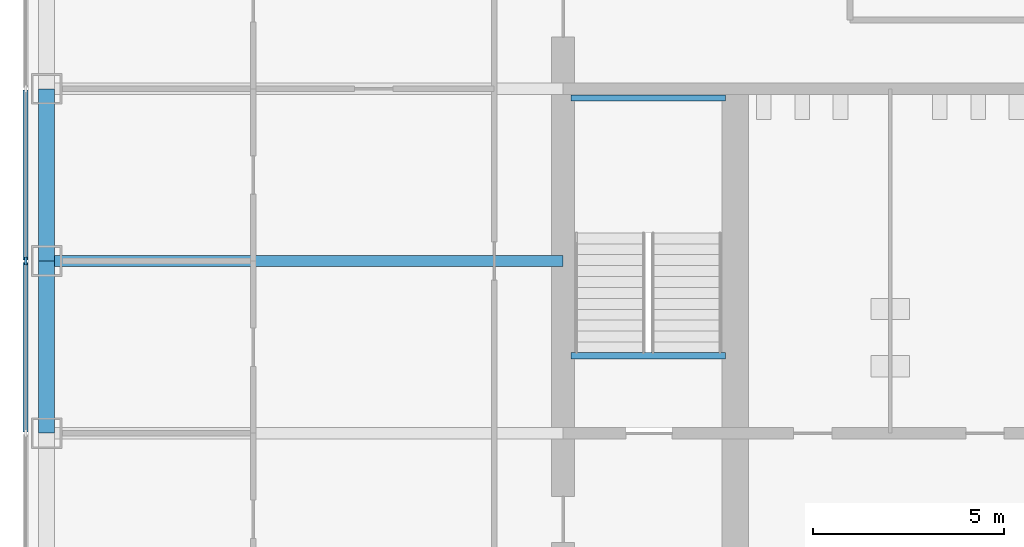
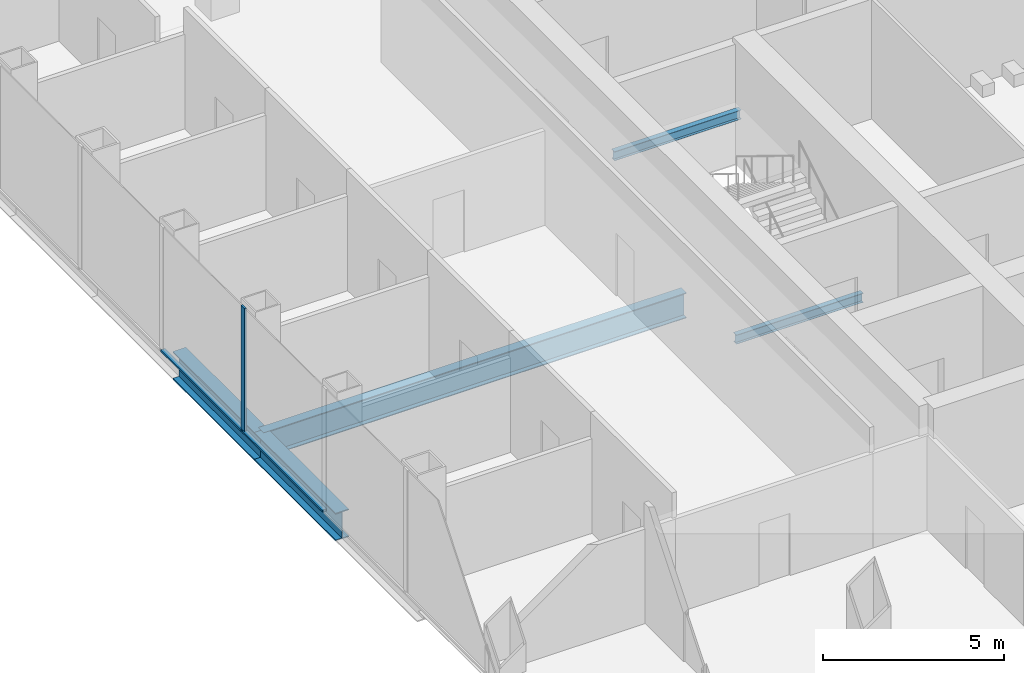
# One storey, part 3 of 12: 5 beams, 3 members, 1 element without a shape of its own.
"""IFC4 building model written with IfcOpenShell, lengths in metres."""

from ifc_helpers import new_model, si_unit, direction, frame, origin, origin_2d, place, context, subcontext, project, spatial, rectangle, i_section, extrude, material, material_profile, profile_set, type_object, element, aggregate, save


model = new_model("IFC4")

# Units and contexts
model_context = context("Model", 3, precision=1e-05, world=origin(), true_north=direction((0.0, 1.0)))
body_context = subcontext(model_context, "Body", "Model", "MODEL_VIEW")
ifc_project = project(units=[si_unit("LENGTHUNIT", "METRE"), si_unit("AREAUNIT", "SQUARE_METRE"), si_unit("VOLUMEUNIT", "CUBIC_METRE"), si_unit("PLANEANGLEUNIT", "RADIAN"), si_unit("MASSUNIT", "GRAM", prefix="KILO")], contexts=[model_context])

# Site, building, storey
site_placement = place(None, origin())
site = spatial("IfcSite", under=ifc_project, at=site_placement, CompositionType="ELEMENT")
building_placement = place(site_placement, origin())
building = spatial("IfcBuilding", under=site, at=building_placement, Name="Corais Broadcast Tower", CompositionType="ELEMENT")
storey_placement = place(building_placement, frame((0.0, 0.0, 92.0)))
storey = spatial("IfcBuildingStorey", under=building, at=storey_placement, Name="L20", CompositionType="ELEMENT", Elevation=92.0)

# Beams
ifc_material_1 = material(Name="Steel ASTM A572 Grade 50", Category="steel")
ifc_material_profile_1 = material_profile(ifc_material_1, i_section(OverallWidth=0.2939453125, OverallDepth=0.85107421875, WebThickness=0.01611328125, FlangeThickness=0.02685546875, at=origin_2d()), Name="W840x226")
ifc_profile_set_1 = profile_set([ifc_material_profile_1], Name="Steel ASTM A572 Grade 50")
beam_type_1 = type_object("IfcBeamType", Name="Floor beam W840x226", PredefinedType="BEAM", material=ifc_profile_set_1)
beam_placement = place(storey_placement, frame((0.0, 27.0, -0.58544921875), z_axis=(1.0, 0.0, 0.0), x_axis=(0.0, 1.0, 0.0)))
element("IfcBeam", 1, at=beam_placement, inside=storey, type_object=beam_type_1, Name="B1 G/3 to G/6", PredefinedType="BEAM", context=body_context, shape_type="SweptSolid", body=[
    extrude(i_section(OverallWidth=0.2939453125, OverallDepth=0.85107421875, WebThickness=0.01611328125, FlangeThickness=0.02685546875, at=origin_2d()), origin(), (0.0, 0.0, 1.0), 13.5),
])
ifc_material_2 = material(Name="Steel ASTM A572 Grade 50", Category="steel")
ifc_material_profile_2 = material_profile(ifc_material_2, i_section(OverallWidth=0.1650390625, OverallDepth=0.31005859375, WebThickness=0.005859375, FlangeThickness=0.009765625, at=origin_2d()), Name="W310x38.7")
ifc_profile_set_2 = profile_set([ifc_material_profile_2], Name="Steel ASTM A572 Grade 50")
beam_type_2 = type_object("IfcBeamType", Name="Landing trimmer W310x38.7", PredefinedType="BEAM", material=ifc_profile_set_2)
for number, where, z_axis, x_axis, name in (
    (2, (13.699951171875, 24.52490234375, -0.35498046875), (1.0, 0.0, 0.0), (0.0, 1.0, 0.0), "LT1 stair A landing trimmer L20"),
    (3, (13.699951171875, 31.260009765625, 1.7451171875), (1.0, 0.0, 0.0), (0.0, 1.0, 0.0), "LT1 stair A half landing trimmer L20"),
):
    element("IfcBeam", number, at=place(storey_placement, frame(where, z_axis=z_axis, x_axis=x_axis)), inside=storey, type_object=beam_type_2, Name=name, PredefinedType="BEAM", context=body_context, shape_type="SweptSolid", body=[
        extrude(i_section(OverallWidth=0.1650390625, OverallDepth=0.31005859375, WebThickness=0.005859375, FlangeThickness=0.009765625, at=origin_2d()), origin(), (0.0, 0.0, 1.0), 4.050048828125),
    ])

# Curtain wall, member
ifc_material_3 = material(Name="Aluminium and glass", Category="aluminium")
curtain_wall_type = type_object("IfcCurtainWallType", Name="Unitised fritted curtain wall CW1", PredefinedType="NOTDEFINED", material=ifc_material_3)
curtain_wall_placement = place(storey_placement, origin())
curtain_wall = element("IfcCurtainWall", 4, at=curtain_wall_placement, inside=storey, type_object=curtain_wall_type, Name="CW1 curtain wall L20 2", PredefinedType="NOTDEFINED")
ifc_material_4 = material(Name="Aluminium 6063-T6", Category="aluminium")
ifc_material_profile_3 = material_profile(ifc_material_4, rectangle(XDim=0.06494140625, YDim=0.199951171875, at=origin_2d()), Name="Mullion CW1 65x200")
ifc_profile_set_3 = profile_set([ifc_material_profile_3], Name="Aluminium 6063-T6")
member_type_1 = type_object("IfcMemberType", Name="Mullion CW1 65x200", PredefinedType="MULLION", material=ifc_profile_set_3)
member_1_placement = place(storey_placement, frame((-0.550048828125, 27.0, 0.0), z_axis=(0.0, 0.0, 1.0), x_axis=(-1.0, 0.0, 0.0)))
member_1 = element("IfcMember", 5, at=member_1_placement, type_object=member_type_1, Name="CW1 mullion 6", PredefinedType="MULLION", context=body_context, shape_type="SweptSolid", body=[
    extrude(rectangle(XDim=0.06494140625, YDim=0.199951171875, at=origin_2d()), origin(), (0.0, 0.0, 1.0), 4.199951171875),
])

# Beams
ifc_material_5 = material(Name="Steel ASTM A572 Grade 50", Category="steel")
ifc_material_profile_4 = material_profile(ifc_material_5, i_section(OverallWidth=0.4189453125, OverallDepth=0.94189453125, WebThickness=0.022216796875, FlangeThickness=0.03662109375, at=origin_2d()), Name="W920x345")
ifc_profile_set_4 = profile_set([ifc_material_profile_4], Name="Steel ASTM A572 Grade 50")
beam_type_3 = type_object("IfcBeamType", Name="Transfer spandrel W920x345", PredefinedType="BEAM", material=ifc_profile_set_4)
for number, where, z_axis, x_axis, name in (
    (6, (0.0, 27.0, -0.631103515625), (0.0, -1.0, 0.0), (1.0, 0.0, 0.0), "SB4 G/3 to F/3"),
    (7, (0.0, 31.5, -0.631103515625), (0.0, -1.0, 0.0), (1.0, 0.0, 0.0), "SB4 H/3 to G/3"),
):
    element("IfcBeam", number, at=place(storey_placement, frame(where, z_axis=z_axis, x_axis=x_axis)), inside=storey, type_object=beam_type_3, Name=name, PredefinedType="BEAM", context=body_context, shape_type="SweptSolid", body=[
        extrude(i_section(OverallWidth=0.4189453125, OverallDepth=0.94189453125, WebThickness=0.022216796875, FlangeThickness=0.03662109375, at=origin_2d()), origin(), (0.0, 0.0, 1.0), 4.5),
    ])

# Member
ifc_material_6 = material(Name="Aluminium 6063-T6", Category="aluminium")
ifc_material_profile_5 = material_profile(ifc_material_6, rectangle(XDim=0.139892578125, YDim=0.06494140625, at=origin_2d()), Name="Transom CW1 65x140")
ifc_profile_set_5 = profile_set([ifc_material_profile_5], Name="Aluminium 6063-T6")
member_type_2 = type_object("IfcMemberType", Name="Transom CW1 65x140", PredefinedType="USERDEFINED", material=ifc_profile_set_5)
member_2_placement = place(storey_placement, frame((-0.550048828125, 22.532470703125, 0.032470703125), z_axis=(0.0, 1.0, 0.0), x_axis=(-1.0, 0.0, 0.0)))
member_2 = element("IfcMember", 8, at=member_2_placement, type_object=member_type_2, Name="CW1 transom 5.1", ObjectType="TRANSOM", PredefinedType="USERDEFINED", context=body_context, shape_type="SweptSolid", body=[
    extrude(rectangle(XDim=0.139892578125, YDim=0.06494140625, at=origin_2d()), origin(), (0.0, 0.0, 1.0), 4.43505859375),
])

member_3_placement = place(storey_placement, frame((-0.550048828125, 27.032470703125, 0.032470703125), z_axis=(0.0, 1.0, 0.0), x_axis=(-1.0, 0.0, 0.0)))
member_3 = element("IfcMember", 9, at=member_3_placement, type_object=member_type_2, Name="CW1 transom 6.1", ObjectType="TRANSOM", PredefinedType="USERDEFINED", context=body_context, shape_type="SweptSolid", body=[
    extrude(rectangle(XDim=0.139892578125, YDim=0.06494140625, at=origin_2d()), origin(), (0.0, 0.0, 1.0), 4.43505859375),
])

aggregate(curtain_wall, [member_1, member_2, member_3])

save(model, "model.ifc")
